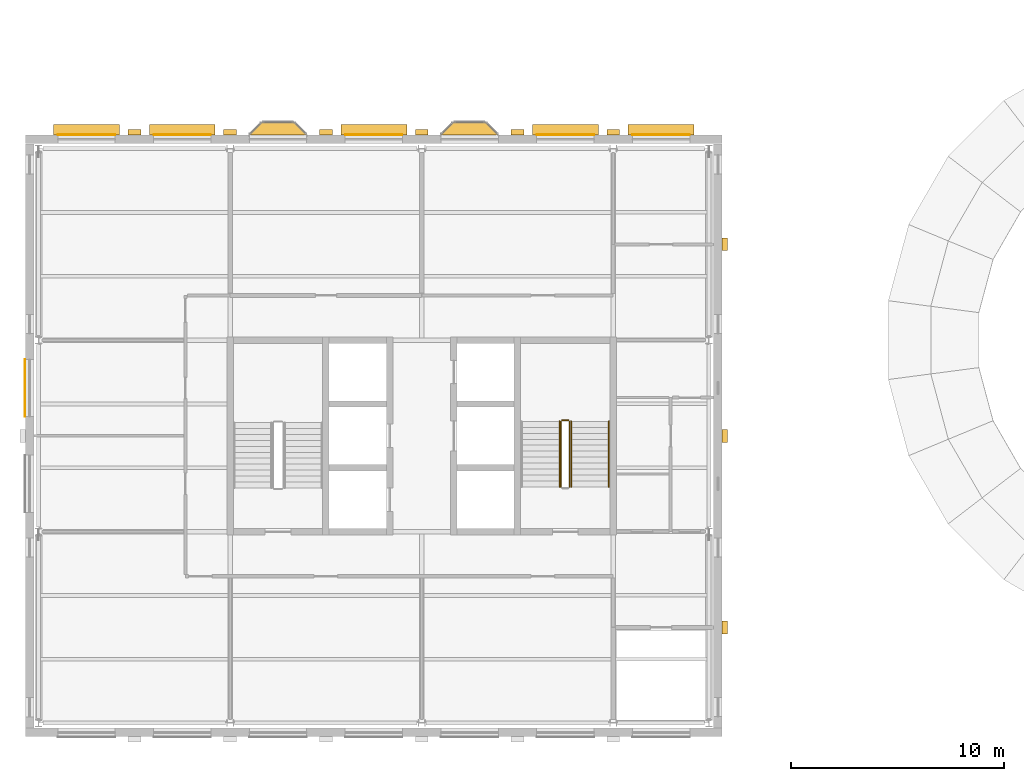
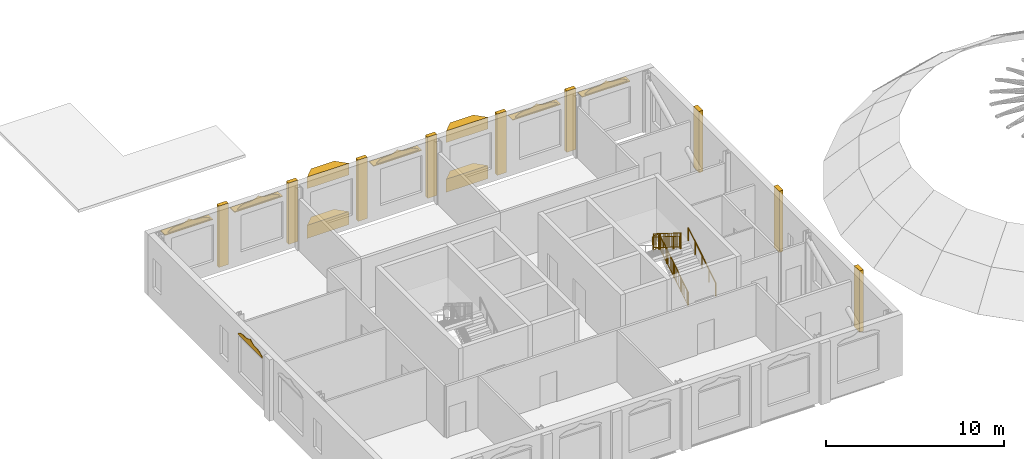
# One storey, part 15 of 15: 19 coverings, 6 railings, 5 shading devices.
"""IFC4 building model written with IfcOpenShell, lengths in metres."""

from ifc_helpers import new_model, si_unit, direction, frame, origin, origin_2d, place, context, subcontext, project, spatial, polyline, rectangle, circle, outline, extrude, material, layer, layer_set, type_object, element, save


model = new_model("IFC4")

# Units and contexts
model_context = context("Model", 3, precision=1e-05, world=origin(), true_north=direction((0.0, 1.0)))
body_context = subcontext(model_context, "Body", "Model", "MODEL_VIEW")
ifc_project = project(units=[si_unit("LENGTHUNIT", "METRE"), si_unit("AREAUNIT", "SQUARE_METRE"), si_unit("VOLUMEUNIT", "CUBIC_METRE"), si_unit("PLANEANGLEUNIT", "RADIAN"), si_unit("MASSUNIT", "GRAM", prefix="KILO")], contexts=[model_context])

# Site, building, storey
site_placement = place(None, origin())
site = spatial("IfcSite", under=ifc_project, at=site_placement, CompositionType="ELEMENT")
building_placement = place(site_placement, origin())
building = spatial("IfcBuilding", under=site, at=building_placement, Name="Hortulan Conservatory and Botanical Research Centre", CompositionType="ELEMENT")
storey_placement = place(building_placement, frame((0.0, 0.0, 23.39990234375)))
storey = spatial("IfcBuildingStorey", under=building, at=storey_placement, Name="L05", CompositionType="ELEMENT", Elevation=23.39990234375)

# Shading devices
ifc_material_1 = material(Name="Bronze-finished perforated aluminium", Category="aluminium")
ifc_layer_1 = layer(ifc_material_1, 0.06005859375)
ifc_layer_set_1 = layer_set([ifc_layer_1], Name="Catenary Hood 3100x500x60")
shading_device_type = type_object("IfcShadingDeviceType", Name="Catenary Hood 3100x500x60", PredefinedType="USERDEFINED", material=ifc_layer_set_1)
for number, where, z_axis, x_axis, name in (
    (1, (2.25, 27.885986328125, 3.41015625), (0.0, 0.0, 1.0), (1.0, 0.0, 0.0), "Catenary hood"),
    (2, (6.75, 27.885986328125, 3.41015625), (0.0, 0.0, 1.0), (1.0, 0.0, 0.0), "Catenary hood"),
    (3, (15.75, 27.885986328125, 3.41015625), (0.0, 0.0, 1.0), (1.0, 0.0, 0.0), "Catenary hood"),
    (4, (24.75, 27.885986328125, 3.41015625), (0.0, 0.0, 1.0), (1.0, 0.0, 0.0), "Catenary hood"),
    (5, (29.25, 27.885986328125, 3.41015625), (0.0, 0.0, 1.0), (1.0, 0.0, 0.0), "Catenary hood"),
):
    element("IfcShadingDevice", number, at=place(storey_placement, frame(where, z_axis=z_axis, x_axis=x_axis)), inside=storey, type_object=shading_device_type, Name=name, ObjectType="Catenary hood", PredefinedType="USERDEFINED", context=body_context, shape_type="SweptSolid", body=[
        extrude(rectangle(XDim=3.10009765625, YDim=0.5, at=origin_2d()), origin(), (0.0, 0.0, 1.0), 0.06005859375),
    ])

# Coverings
ifc_material_2 = material(Name="Faience cladding, cream glaze (non-combustible)", Category="ceramic")
ifc_layer_2 = layer(ifc_material_2, 0.030029296875)
ifc_layer_set_2 = layer_set([ifc_layer_2], Name="Faience Ogee Head Panel Cream 2700x500")
covering_type_1 = type_object("IfcCoveringType", Name="Faience Ogee Head Panel Cream 2700x500", PredefinedType="CLADDING", material=ifc_layer_set_2)
for number, where, z_axis, x_axis, name in (
    (6, (0.89990234375, 27.65087890625, 3.52001953125), (0.0, 0.0, 1.0), (1.0, 0.0, 0.0), "Ogee head panel"),
    (7, (23.39990234375, 27.65087890625, 3.52001953125), (0.0, 0.0, 1.0), (1.0, 0.0, 0.0), "Ogee head panel"),
    (8, (27.89990234375, 27.65087890625, 3.52001953125), (0.0, 0.0, 1.0), (1.0, 0.0, 0.0), "Ogee head panel"),
):
    element("IfcCovering", number, at=place(storey_placement, frame(where, z_axis=z_axis, x_axis=x_axis)), inside=storey, type_object=covering_type_1, Name=name, PredefinedType="CLADDING", context=body_context, shape_type="SweptSolid", body=[
        extrude(outline(polyline([(0.0, 0.0), (2.699951171875, 0.0), (2.699951171875, 0.080078125), (2.58740234375, 0.148681640625), (2.47509765625, 0.208251953125), (2.362548828125, 0.252197265625), (2.25, 0.2783203125), (2.137451171875, 0.28857421875), (2.02490234375, 0.2900390625), (1.91259765625, 0.29150390625), (1.800048828125, 0.3017578125), (1.6875, 0.327880859375), (1.574951171875, 0.371826171875), (1.46240234375, 0.431396484375), (1.35009765625, 0.5), (1.237548828125, 0.431396484375), (1.125, 0.371826171875), (1.012451171875, 0.327880859375), (0.89990234375, 0.3017578125), (0.78759765625, 0.29150390625), (0.675048828125, 0.2900390625), (0.5625, 0.28857421875), (0.449951171875, 0.2783203125), (0.33740234375, 0.252197265625), (0.22509765625, 0.208251953125), (0.112548828125, 0.148681640625), (0.0, 0.080078125), (0.0, 0.0)])), frame((0.0, 0.01513671875, 0.0), z_axis=(0.0, -1.0, 0.0), x_axis=(1.0, 0.0, 0.0)), (0.0, 0.0, 1.0), 0.030029296875),
    ])
ifc_material_3 = material(Name="Faience cladding, waratah crimson glaze (non-combustible)", Category="ceramic")
ifc_layer_3 = layer(ifc_material_3, 0.030029296875)
ifc_layer_set_3 = layer_set([ifc_layer_3], Name="Faience Ogee Head Panel Crimson 2700x500")
covering_type_2 = type_object("IfcCoveringType", Name="Faience Ogee Head Panel Crimson 2700x500", PredefinedType="CLADDING", material=ifc_layer_set_3)
covering_1_placement = place(storey_placement, frame((5.39990234375, 27.65087890625, 3.52001953125), z_axis=(0.0, 0.0, 1.0), x_axis=(1.0, 0.0, 0.0)))
element("IfcCovering", 9, at=covering_1_placement, inside=storey, type_object=covering_type_2, Name="Ogee head panel", PredefinedType="CLADDING", context=body_context, shape_type="SweptSolid", body=[
    extrude(outline(polyline([(0.0, 0.0), (2.699951171875, 0.0), (2.699951171875, 0.080078125), (2.58740234375, 0.148681640625), (2.47509765625, 0.208251953125), (2.362548828125, 0.252197265625), (2.25, 0.2783203125), (2.137451171875, 0.28857421875), (2.02490234375, 0.2900390625), (1.91259765625, 0.29150390625), (1.800048828125, 0.3017578125), (1.6875, 0.327880859375), (1.574951171875, 0.371826171875), (1.46240234375, 0.431396484375), (1.35009765625, 0.5), (1.237548828125, 0.431396484375), (1.125, 0.371826171875), (1.012451171875, 0.327880859375), (0.89990234375, 0.3017578125), (0.78759765625, 0.29150390625), (0.675048828125, 0.2900390625), (0.5625, 0.28857421875), (0.449951171875, 0.2783203125), (0.33740234375, 0.252197265625), (0.22509765625, 0.208251953125), (0.112548828125, 0.148681640625), (0.0, 0.080078125), (0.0, 0.0)])), frame((0.0, 0.01513671875, 0.0), z_axis=(0.0, -1.0, 0.0), x_axis=(1.0, 0.0, 0.0)), (0.0, 0.0, 1.0), 0.030029296875),
])
ifc_material_4 = material(Name="Faience cladding, harbour teal glaze (non-combustible)", Category="ceramic")
ifc_layer_4 = layer(ifc_material_4, 0.030029296875)
ifc_layer_set_4 = layer_set([ifc_layer_4], Name="Faience Ogee Head Panel Teal 2700x500")
covering_type_3 = type_object("IfcCoveringType", Name="Faience Ogee Head Panel Teal 2700x500", PredefinedType="CLADDING", material=ifc_layer_set_4)
for number, where, z_axis, x_axis, name in (
    (10, (-0.639892578125, 14.39990234375, 3.52001953125), (0.0, 0.0, 1.0), (0.0, 1.0, 0.0), "Ogee head panel"),
    (11, (14.39990234375, 27.65087890625, 3.52001953125), (0.0, 0.0, 1.0), (1.0, 0.0, 0.0), "Ogee head panel"),
):
    element("IfcCovering", number, at=place(storey_placement, frame(where, z_axis=z_axis, x_axis=x_axis)), inside=storey, type_object=covering_type_3, Name=name, PredefinedType="CLADDING", context=body_context, shape_type="SweptSolid", body=[
        extrude(outline(polyline([(0.0, 0.0), (2.699951171875, 0.0), (2.699951171875, 0.080078125), (2.58740234375, 0.148681640625), (2.47509765625, 0.208251953125), (2.362548828125, 0.252197265625), (2.25, 0.2783203125), (2.137451171875, 0.28857421875), (2.02490234375, 0.2900390625), (1.91259765625, 0.29150390625), (1.800048828125, 0.3017578125), (1.6875, 0.327880859375), (1.574951171875, 0.371826171875), (1.46240234375, 0.431396484375), (1.35009765625, 0.5), (1.237548828125, 0.431396484375), (1.125, 0.371826171875), (1.012451171875, 0.327880859375), (0.89990234375, 0.3017578125), (0.78759765625, 0.29150390625), (0.675048828125, 0.2900390625), (0.5625, 0.28857421875), (0.449951171875, 0.2783203125), (0.33740234375, 0.252197265625), (0.22509765625, 0.208251953125), (0.112548828125, 0.148681640625), (0.0, 0.080078125), (0.0, 0.0)])), frame((0.0, 0.01513671875, 0.0), z_axis=(0.0, -1.0, 0.0), x_axis=(1.0, 0.0, 0.0)), (0.0, 0.0, 1.0), 0.030029296875),
    ])
ifc_material_5 = material(Name="Faience-faced brickwork masonry", Category="masonry")
covering_type_4 = type_object("IfcCoveringType", Name="Faience Oriel Base", PredefinedType="CLADDING", material=ifc_material_5)
covering_2_placement = place(storey_placement, origin())
element("IfcCovering", 12, at=covering_2_placement, inside=storey, type_object=covering_type_4, Name="Oriel base", PredefinedType="CLADDING", context=body_context, shape_type="SweptSolid", body=[
    extrude(outline(polyline([(9.89990234375, 27.635986328125), (10.5, 28.236083984375), (12.0, 28.236083984375), (12.60009765625, 27.635986328125), (9.89990234375, 27.635986328125)])), origin(), (0.0, 0.0, 1.0), 0.900146484375),
])
covering_3_placement = place(storey_placement, origin())
element("IfcCovering", 13, at=covering_3_placement, inside=storey, type_object=covering_type_4, Name="Oriel base", PredefinedType="CLADDING", context=body_context, shape_type="SweptSolid", body=[
    extrude(outline(polyline([(18.89990234375, 27.635986328125), (19.5, 28.236083984375), (21.0, 28.236083984375), (21.60009765625, 27.635986328125), (18.89990234375, 27.635986328125)])), origin(), (0.0, 0.0, 1.0), 0.900146484375),
])
covering_type_5 = type_object("IfcCoveringType", Name="Faience Oriel Frieze", PredefinedType="CLADDING", material=ifc_material_5)
covering_4_placement = place(storey_placement, frame((0.0, 0.0, 3.400146484375)))
element("IfcCovering", 14, at=covering_4_placement, inside=storey, type_object=covering_type_5, Name="Oriel frieze", PredefinedType="CLADDING", context=body_context, shape_type="SweptSolid", body=[
    extrude(outline(polyline([(9.89990234375, 27.635986328125), (10.5, 28.236083984375), (12.0, 28.236083984375), (12.60009765625, 27.635986328125), (9.89990234375, 27.635986328125)])), origin(), (0.0, 0.0, 1.0), 0.800048828125),
])
covering_5_placement = place(storey_placement, frame((0.0, 0.0, 3.400146484375)))
element("IfcCovering", 15, at=covering_5_placement, inside=storey, type_object=covering_type_5, Name="Oriel frieze", PredefinedType="CLADDING", context=body_context, shape_type="SweptSolid", body=[
    extrude(outline(polyline([(18.89990234375, 27.635986328125), (19.5, 28.236083984375), (21.0, 28.236083984375), (21.60009765625, 27.635986328125), (18.89990234375, 27.635986328125)])), origin(), (0.0, 0.0, 1.0), 0.800048828125),
])
ifc_layer_5 = layer(ifc_material_2, 0.25)
ifc_layer_set_5 = layer_set([ifc_layer_5], Name="Faience Pilaster 600x250")
covering_type_6 = type_object("IfcCoveringType", Name="Faience Pilaster 600x250", PredefinedType="CLADDING", material=ifc_layer_set_5)
for number, where, z_axis, x_axis, name in (
    (16, (4.5, 27.760986328125, 0.0), (0.0, 0.0, 1.0), (1.0, 0.0, 0.0), "Pier"),
    (17, (9.0, 27.760986328125, 0.0), (0.0, 0.0, 1.0), (1.0, 0.0, 0.0), "Pier"),
    (18, (13.5, 27.760986328125, 0.0), (0.0, 0.0, 1.0), (1.0, 0.0, 0.0), "Pier"),
    (19, (18.0, 27.760986328125, 0.0), (0.0, 0.0, 1.0), (1.0, 0.0, 0.0), "Pier"),
    (20, (22.5, 27.760986328125, 0.0), (0.0, 0.0, 1.0), (1.0, 0.0, 0.0), "Pier"),
    (21, (27.0, 27.760986328125, 0.0), (0.0, 0.0, 1.0), (1.0, 0.0, 0.0), "Pier"),
    (22, (32.25, 4.5, 0.0), (0.0, 0.0, 1.0), (0.0, 1.0, 0.0), "Pier"),
    (23, (32.25, 13.5, 0.0), (0.0, 0.0, 1.0), (0.0, 1.0, 0.0), "Pier"),
    (24, (32.25, 22.5, 0.0), (0.0, 0.0, 1.0), (0.0, 1.0, 0.0), "Pier"),
):
    element("IfcCovering", number, at=place(storey_placement, frame(where, z_axis=z_axis, x_axis=x_axis)), inside=storey, type_object=covering_type_6, Name=name, PredefinedType="CLADDING", context=body_context, shape_type="SweptSolid", body=[
        extrude(rectangle(XDim=0.60009765625, YDim=0.25, at=origin_2d()), origin(), (0.0, 0.0, 1.0), 4.199951171875),
    ])

# Railings
ifc_material_6 = material(Name="Steel balustrade, bronze-charcoal paint", Category="steel")
railing_type_1 = type_object("IfcRailingType", Name="Stair Guard 1100", PredefinedType="GUARDRAIL", material=ifc_material_6)
railing_1_placement = place(storey_placement, frame((24.949951171875, 11.10009765625, 0.175048828125)))
element("IfcRailing", 25, at=railing_1_placement, inside=storey, type_object=railing_type_1, Name="Guard T2 L05 stair 1", PredefinedType="GUARDRAIL", context=body_context, shape_type="SweptSolid", body=[
    extrude(circle(Radius=0.02392578125, at=origin_2d()), frame((0.0, 0.0, 1.076171875), z_axis=(0.0, 0.847979421464, 0.530029150871), x_axis=(-1.0, 0.0, 0.0)), (0.0, 0.0, 1.0), 3.632080078125),
    extrude(circle(Radius=0.02392578125, at=origin_2d()), frame((0.0, 0.0, 0.1240234375), z_axis=(0.0, 0.847979421464, 0.530029150871), x_axis=(-1.0, 0.0, 0.0)), (0.0, 0.0, 1.0), 3.632080078125),
    extrude(circle(Radius=0.008056640625, at=origin_2d()), frame((0.0, 0.090576171875, 0.204833984375)), (0.0, 0.0, 1.0), 0.90380859375),
    extrude(circle(Radius=0.008056640625, at=origin_2d()), frame((0.0, 0.18115234375, 0.261474609375)), (0.0, 0.0, 1.0), 0.90380859375),
    extrude(circle(Radius=0.008056640625, at=origin_2d()), frame((0.0, 0.271728515625, 0.318115234375)), (0.0, 0.0, 1.0), 0.90380859375),
    extrude(circle(Radius=0.008056640625, at=origin_2d()), frame((0.0, 0.3623046875, 0.374755859375)), (0.0, 0.0, 1.0), 0.90380859375),
    extrude(circle(Radius=0.008056640625, at=origin_2d()), frame((0.0, 0.452880859375, 0.431396484375)), (0.0, 0.0, 1.0), 0.90380859375),
    extrude(circle(Radius=0.008056640625, at=origin_2d()), frame((0.0, 0.54345703125, 0.48779296875)), (0.0, 0.0, 1.0), 0.90380859375),
    extrude(circle(Radius=0.008056640625, at=origin_2d()), frame((0.0, 0.634033203125, 0.54443359375)), (0.0, 0.0, 1.0), 0.90380859375),
    extrude(circle(Radius=0.008056640625, at=origin_2d()), frame((0.0, 0.724609375, 0.60107421875)), (0.0, 0.0, 1.0), 0.90380859375),
    extrude(circle(Radius=0.008056640625, at=origin_2d()), frame((0.0, 0.815185546875, 0.65771484375)), (0.0, 0.0, 1.0), 0.90380859375),
    extrude(circle(Radius=0.008056640625, at=origin_2d()), frame((0.0, 0.90576171875, 0.71435546875)), (0.0, 0.0, 1.0), 0.90380859375),
    extrude(circle(Radius=0.008056640625, at=origin_2d()), frame((0.0, 0.996337890625, 0.77099609375)), (0.0, 0.0, 1.0), 0.90380859375),
    extrude(circle(Radius=0.008056640625, at=origin_2d()), frame((0.0, 1.0869140625, 0.82763671875)), (0.0, 0.0, 1.0), 0.90380859375),
    extrude(circle(Radius=0.008056640625, at=origin_2d()), frame((0.0, 1.177490234375, 0.88427734375)), (0.0, 0.0, 1.0), 0.90380859375),
    extrude(circle(Radius=0.008056640625, at=origin_2d()), frame((0.0, 1.26806640625, 0.94091796875)), (0.0, 0.0, 1.0), 0.90380859375),
    extrude(circle(Radius=0.008056640625, at=origin_2d()), frame((0.0, 1.358642578125, 0.99755859375)), (0.0, 0.0, 1.0), 0.90380859375),
    extrude(circle(Radius=0.008056640625, at=origin_2d()), frame((0.0, 1.44921875, 1.05419921875)), (0.0, 0.0, 1.0), 0.90380859375),
    extrude(circle(Radius=0.008056640625, at=origin_2d()), frame((0.0, 1.5400390625, 1.11083984375)), (0.0, 0.0, 1.0), 0.90380859375),
    extrude(circle(Radius=0.008056640625, at=origin_2d()), frame((0.0, 1.630615234375, 1.167236328125)), (0.0, 0.0, 1.0), 0.90380859375),
    extrude(circle(Radius=0.008056640625, at=origin_2d()), frame((0.0, 1.72119140625, 1.223876953125)), (0.0, 0.0, 1.0), 0.90380859375),
    extrude(circle(Radius=0.008056640625, at=origin_2d()), frame((0.0, 1.811767578125, 1.280517578125)), (0.0, 0.0, 1.0), 0.90380859375),
    extrude(circle(Radius=0.008056640625, at=origin_2d()), frame((0.0, 1.90234375, 1.337158203125)), (0.0, 0.0, 1.0), 0.90380859375),
    extrude(circle(Radius=0.008056640625, at=origin_2d()), frame((0.0, 1.992919921875, 1.393798828125)), (0.0, 0.0, 1.0), 0.90380859375),
    extrude(circle(Radius=0.008056640625, at=origin_2d()), frame((0.0, 2.08349609375, 1.450439453125)), (0.0, 0.0, 1.0), 0.90380859375),
    extrude(circle(Radius=0.008056640625, at=origin_2d()), frame((0.0, 2.174072265625, 1.507080078125)), (0.0, 0.0, 1.0), 0.90380859375),
    extrude(circle(Radius=0.008056640625, at=origin_2d()), frame((0.0, 2.2646484375, 1.563720703125)), (0.0, 0.0, 1.0), 0.90380859375),
    extrude(circle(Radius=0.008056640625, at=origin_2d()), frame((0.0, 2.355224609375, 1.620361328125)), (0.0, 0.0, 1.0), 0.90380859375),
    extrude(circle(Radius=0.008056640625, at=origin_2d()), frame((0.0, 2.44580078125, 1.677001953125)), (0.0, 0.0, 1.0), 0.90380859375),
    extrude(circle(Radius=0.008056640625, at=origin_2d()), frame((0.0, 2.536376953125, 1.733642578125)), (0.0, 0.0, 1.0), 0.90380859375),
    extrude(circle(Radius=0.008056640625, at=origin_2d()), frame((0.0, 2.626953125, 1.7900390625)), (0.0, 0.0, 1.0), 0.90380859375),
    extrude(circle(Radius=0.008056640625, at=origin_2d()), frame((0.0, 2.717529296875, 1.8466796875)), (0.0, 0.0, 1.0), 0.90380859375),
    extrude(circle(Radius=0.008056640625, at=origin_2d()), frame((0.0, 2.80810546875, 1.9033203125)), (0.0, 0.0, 1.0), 0.90380859375),
    extrude(circle(Radius=0.008056640625, at=origin_2d()), frame((0.0, 2.898681640625, 1.9599609375)), (0.0, 0.0, 1.0), 0.90380859375),
    extrude(circle(Radius=0.008056640625, at=origin_2d()), frame((0.0, 2.9892578125, 2.0166015625)), (0.0, 0.0, 1.0), 0.90380859375),
    extrude(circle(Radius=0.02099609375, at=origin_2d()), origin(), (0.0, 0.0, 1.0), 1.052001953125),
    extrude(circle(Radius=0.02099609375, at=origin_2d()), frame((0.0, 0.77001953125, 0.481201171875)), (0.0, 0.0, 1.0), 1.052001953125),
    extrude(circle(Radius=0.02099609375, at=origin_2d()), frame((0.0, 1.5400390625, 0.96240234375)), (0.0, 0.0, 1.0), 1.052001953125),
    extrude(circle(Radius=0.02099609375, at=origin_2d()), frame((0.0, 2.309814453125, 1.44384765625)), (0.0, 0.0, 1.0), 1.052001953125),
    extrude(circle(Radius=0.02099609375, at=origin_2d()), frame((0.0, 3.079833984375, 1.925048828125)), (0.0, 0.0, 1.0), 1.052001953125),
])
railing_2_placement = place(storey_placement, frame((24.89990234375, 14.22998046875, 2.10009765625)))
element("IfcRailing", 26, at=railing_2_placement, inside=storey, type_object=railing_type_1, Name="Guard T2 L05 stair 2", PredefinedType="GUARDRAIL", context=body_context, shape_type="SweptSolid", body=[
    extrude(circle(Radius=0.02392578125, at=origin_2d()), frame((0.0, 0.0, 1.076171875), z_axis=(-1.0, 0.0, 0.0), x_axis=(0.0, -1.0, 0.0)), (0.0, 0.0, 1.0), 0.2998046875),
    extrude(circle(Radius=0.02392578125, at=origin_2d()), frame((0.0, 0.0, 0.1240234375), z_axis=(-1.0, 0.0, 0.0), x_axis=(0.0, -1.0, 0.0)), (0.0, 0.0, 1.0), 0.2998046875),
    extrude(circle(Radius=0.008056640625, at=origin_2d()), frame((-0.099853515625, 0.0, 0.148193359375)), (0.0, 0.0, 1.0), 0.90380859375),
    extrude(circle(Radius=0.008056640625, at=origin_2d()), frame((-0.199951171875, 0.0, 0.148193359375)), (0.0, 0.0, 1.0), 0.90380859375),
    extrude(circle(Radius=0.02099609375, at=origin_2d()), origin(), (0.0, 0.0, 1.0), 1.052001953125),
    extrude(circle(Radius=0.02099609375, at=origin_2d()), frame((-0.2998046875, 0.0, 0.0)), (0.0, 0.0, 1.0), 1.052001953125),
])
railing_3_placement = place(storey_placement, frame((24.550048828125, 14.179931640625, 2.275146484375)))
element("IfcRailing", 27, at=railing_3_placement, inside=storey, type_object=railing_type_1, Name="Guard T2 L05 stair 3", PredefinedType="GUARDRAIL", context=body_context, shape_type="SweptSolid", body=[
    extrude(circle(Radius=0.02392578125, at=origin_2d()), frame((0.0, 0.0, 1.076171875), z_axis=(0.0, -0.847979421464, 0.530029150871), x_axis=(1.0, 0.0, 0.0)), (0.0, 0.0, 1.0), 3.632080078125),
    extrude(circle(Radius=0.02392578125, at=origin_2d()), frame((0.0, 0.0, 0.1240234375), z_axis=(0.0, -0.847979421464, 0.530029150871), x_axis=(1.0, 0.0, 0.0)), (0.0, 0.0, 1.0), 3.632080078125),
    extrude(circle(Radius=0.008056640625, at=origin_2d()), frame((0.0, -0.090576171875, 0.204833984375)), (0.0, 0.0, 1.0), 0.90380859375),
    extrude(circle(Radius=0.008056640625, at=origin_2d()), frame((0.0, -0.18115234375, 0.261474609375)), (0.0, 0.0, 1.0), 0.90380859375),
    extrude(circle(Radius=0.008056640625, at=origin_2d()), frame((0.0, -0.271728515625, 0.318115234375)), (0.0, 0.0, 1.0), 0.90380859375),
    extrude(circle(Radius=0.008056640625, at=origin_2d()), frame((0.0, -0.3623046875, 0.374755859375)), (0.0, 0.0, 1.0), 0.90380859375),
    extrude(circle(Radius=0.008056640625, at=origin_2d()), frame((0.0, -0.452880859375, 0.431396484375)), (0.0, 0.0, 1.0), 0.90380859375),
    extrude(circle(Radius=0.008056640625, at=origin_2d()), frame((0.0, -0.54345703125, 0.48779296875)), (0.0, 0.0, 1.0), 0.90380859375),
    extrude(circle(Radius=0.008056640625, at=origin_2d()), frame((0.0, -0.634033203125, 0.54443359375)), (0.0, 0.0, 1.0), 0.90380859375),
    extrude(circle(Radius=0.008056640625, at=origin_2d()), frame((0.0, -0.724609375, 0.60107421875)), (0.0, 0.0, 1.0), 0.90380859375),
    extrude(circle(Radius=0.008056640625, at=origin_2d()), frame((0.0, -0.815185546875, 0.65771484375)), (0.0, 0.0, 1.0), 0.90380859375),
    extrude(circle(Radius=0.008056640625, at=origin_2d()), frame((0.0, -0.90576171875, 0.71435546875)), (0.0, 0.0, 1.0), 0.90380859375),
    extrude(circle(Radius=0.008056640625, at=origin_2d()), frame((0.0, -0.996337890625, 0.77099609375)), (0.0, 0.0, 1.0), 0.90380859375),
    extrude(circle(Radius=0.008056640625, at=origin_2d()), frame((0.0, -1.0869140625, 0.82763671875)), (0.0, 0.0, 1.0), 0.90380859375),
    extrude(circle(Radius=0.008056640625, at=origin_2d()), frame((0.0, -1.177490234375, 0.88427734375)), (0.0, 0.0, 1.0), 0.90380859375),
    extrude(circle(Radius=0.008056640625, at=origin_2d()), frame((0.0, -1.26806640625, 0.94091796875)), (0.0, 0.0, 1.0), 0.90380859375),
    extrude(circle(Radius=0.008056640625, at=origin_2d()), frame((0.0, -1.358642578125, 0.99755859375)), (0.0, 0.0, 1.0), 0.90380859375),
    extrude(circle(Radius=0.008056640625, at=origin_2d()), frame((0.0, -1.44921875, 1.05419921875)), (0.0, 0.0, 1.0), 0.90380859375),
    extrude(circle(Radius=0.008056640625, at=origin_2d()), frame((0.0, -1.5400390625, 1.11083984375)), (0.0, 0.0, 1.0), 0.90380859375),
    extrude(circle(Radius=0.008056640625, at=origin_2d()), frame((0.0, -1.630615234375, 1.167236328125)), (0.0, 0.0, 1.0), 0.90380859375),
    extrude(circle(Radius=0.008056640625, at=origin_2d()), frame((0.0, -1.72119140625, 1.223876953125)), (0.0, 0.0, 1.0), 0.90380859375),
    extrude(circle(Radius=0.008056640625, at=origin_2d()), frame((0.0, -1.811767578125, 1.280517578125)), (0.0, 0.0, 1.0), 0.90380859375),
    extrude(circle(Radius=0.008056640625, at=origin_2d()), frame((0.0, -1.90234375, 1.337158203125)), (0.0, 0.0, 1.0), 0.90380859375),
    extrude(circle(Radius=0.008056640625, at=origin_2d()), frame((0.0, -1.992919921875, 1.393798828125)), (0.0, 0.0, 1.0), 0.90380859375),
    extrude(circle(Radius=0.008056640625, at=origin_2d()), frame((0.0, -2.08349609375, 1.450439453125)), (0.0, 0.0, 1.0), 0.90380859375),
    extrude(circle(Radius=0.008056640625, at=origin_2d()), frame((0.0, -2.174072265625, 1.507080078125)), (0.0, 0.0, 1.0), 0.90380859375),
    extrude(circle(Radius=0.008056640625, at=origin_2d()), frame((0.0, -2.2646484375, 1.563720703125)), (0.0, 0.0, 1.0), 0.90380859375),
    extrude(circle(Radius=0.008056640625, at=origin_2d()), frame((0.0, -2.355224609375, 1.620361328125)), (0.0, 0.0, 1.0), 0.90380859375),
    extrude(circle(Radius=0.008056640625, at=origin_2d()), frame((0.0, -2.44580078125, 1.677001953125)), (0.0, 0.0, 1.0), 0.90380859375),
    extrude(circle(Radius=0.008056640625, at=origin_2d()), frame((0.0, -2.536376953125, 1.733642578125)), (0.0, 0.0, 1.0), 0.90380859375),
    extrude(circle(Radius=0.008056640625, at=origin_2d()), frame((0.0, -2.626953125, 1.7900390625)), (0.0, 0.0, 1.0), 0.90380859375),
    extrude(circle(Radius=0.008056640625, at=origin_2d()), frame((0.0, -2.717529296875, 1.8466796875)), (0.0, 0.0, 1.0), 0.90380859375),
    extrude(circle(Radius=0.008056640625, at=origin_2d()), frame((0.0, -2.80810546875, 1.9033203125)), (0.0, 0.0, 1.0), 0.90380859375),
    extrude(circle(Radius=0.008056640625, at=origin_2d()), frame((0.0, -2.898681640625, 1.9599609375)), (0.0, 0.0, 1.0), 0.90380859375),
    extrude(circle(Radius=0.008056640625, at=origin_2d()), frame((0.0, -2.9892578125, 2.0166015625)), (0.0, 0.0, 1.0), 0.90380859375),
    extrude(circle(Radius=0.02099609375, at=origin_2d()), origin(), (0.0, 0.0, 1.0), 1.052001953125),
    extrude(circle(Radius=0.02099609375, at=origin_2d()), frame((0.0, -0.77001953125, 0.481201171875)), (0.0, 0.0, 1.0), 1.052001953125),
    extrude(circle(Radius=0.02099609375, at=origin_2d()), frame((0.0, -1.5400390625, 0.96240234375)), (0.0, 0.0, 1.0), 1.052001953125),
    extrude(circle(Radius=0.02099609375, at=origin_2d()), frame((0.0, -2.309814453125, 1.44384765625)), (0.0, 0.0, 1.0), 1.052001953125),
    extrude(circle(Radius=0.02099609375, at=origin_2d()), frame((0.0, -3.079833984375, 1.925048828125)), (0.0, 0.0, 1.0), 1.052001953125),
])
ifc_material_7 = material(Name="Bronze handrail, polished", Category="metal")
railing_type_2 = type_object("IfcRailingType", Name="Stair Handrail 900", PredefinedType="HANDRAIL", material=ifc_material_7)
for number, where, name in (
    (28, (26.800048828125, 11.10009765625, 0.175048828125), "Handrail T2 L05 stair 1"),
    (29, (25.02001953125, 11.10009765625, 0.175048828125), "Handrail T2 L05 stair 3"),
):
    element("IfcRailing", number, at=place(storey_placement, frame(where)), inside=storey, type_object=railing_type_2, Name=name, PredefinedType="HANDRAIL", context=body_context, shape_type="SweptSolid", body=[
        extrude(circle(Radius=0.02392578125, at=origin_2d()), frame((0.0, 0.0, 0.8759765625), z_axis=(0.0, 0.847979421464, 0.530029150871), x_axis=(-1.0, 0.0, 0.0)), (0.0, 0.0, 1.0), 3.632080078125),
        extrude(circle(Radius=0.02099609375, at=origin_2d()), origin(), (0.0, 0.0, 1.0), 0.851806640625),
        extrude(circle(Radius=0.02099609375, at=origin_2d()), frame((0.0, 0.77001953125, 0.481201171875)), (0.0, 0.0, 1.0), 0.851806640625),
        extrude(circle(Radius=0.02099609375, at=origin_2d()), frame((0.0, 1.5400390625, 0.96240234375)), (0.0, 0.0, 1.0), 0.851806640625),
        extrude(circle(Radius=0.02099609375, at=origin_2d()), frame((0.0, 2.309814453125, 1.44384765625)), (0.0, 0.0, 1.0), 0.851806640625),
        extrude(circle(Radius=0.02099609375, at=origin_2d()), frame((0.0, 3.079833984375, 1.925048828125)), (0.0, 0.0, 1.0), 0.851806640625),
    ])
railing_4_placement = place(storey_placement, frame((24.47998046875, 14.179931640625, 2.275146484375)))
element("IfcRailing", 30, at=railing_4_placement, inside=storey, type_object=railing_type_2, Name="Handrail T2 L05 stair 4", PredefinedType="HANDRAIL", context=body_context, shape_type="SweptSolid", body=[
    extrude(circle(Radius=0.02392578125, at=origin_2d()), frame((0.0, 0.0, 0.8759765625), z_axis=(0.0, -0.847979421464, 0.530029150871), x_axis=(1.0, 0.0, 0.0)), (0.0, 0.0, 1.0), 3.632080078125),
    extrude(circle(Radius=0.02099609375, at=origin_2d()), origin(), (0.0, 0.0, 1.0), 0.851806640625),
    extrude(circle(Radius=0.02099609375, at=origin_2d()), frame((0.0, -0.77001953125, 0.481201171875)), (0.0, 0.0, 1.0), 0.851806640625),
    extrude(circle(Radius=0.02099609375, at=origin_2d()), frame((0.0, -1.5400390625, 0.96240234375)), (0.0, 0.0, 1.0), 0.851806640625),
    extrude(circle(Radius=0.02099609375, at=origin_2d()), frame((0.0, -2.309814453125, 1.44384765625)), (0.0, 0.0, 1.0), 0.851806640625),
    extrude(circle(Radius=0.02099609375, at=origin_2d()), frame((0.0, -3.079833984375, 1.925048828125)), (0.0, 0.0, 1.0), 0.851806640625),
])

save(model, "model.ifc")
